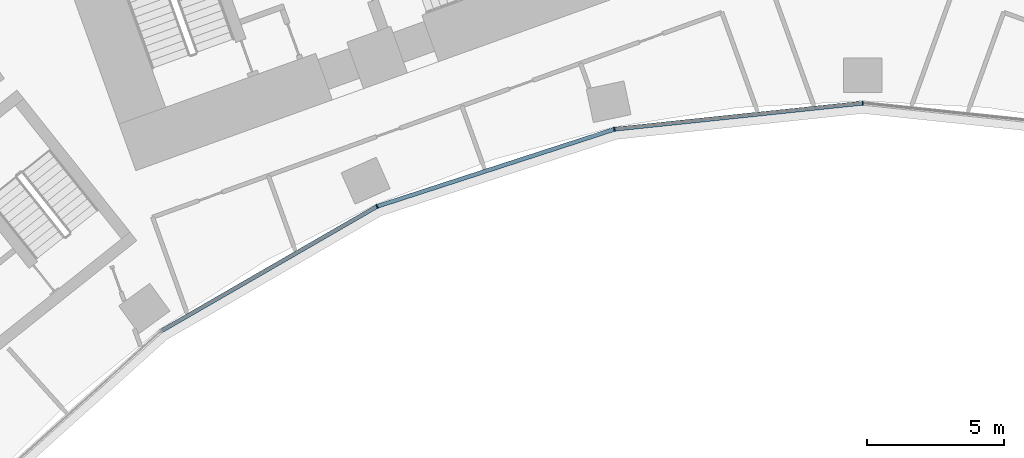
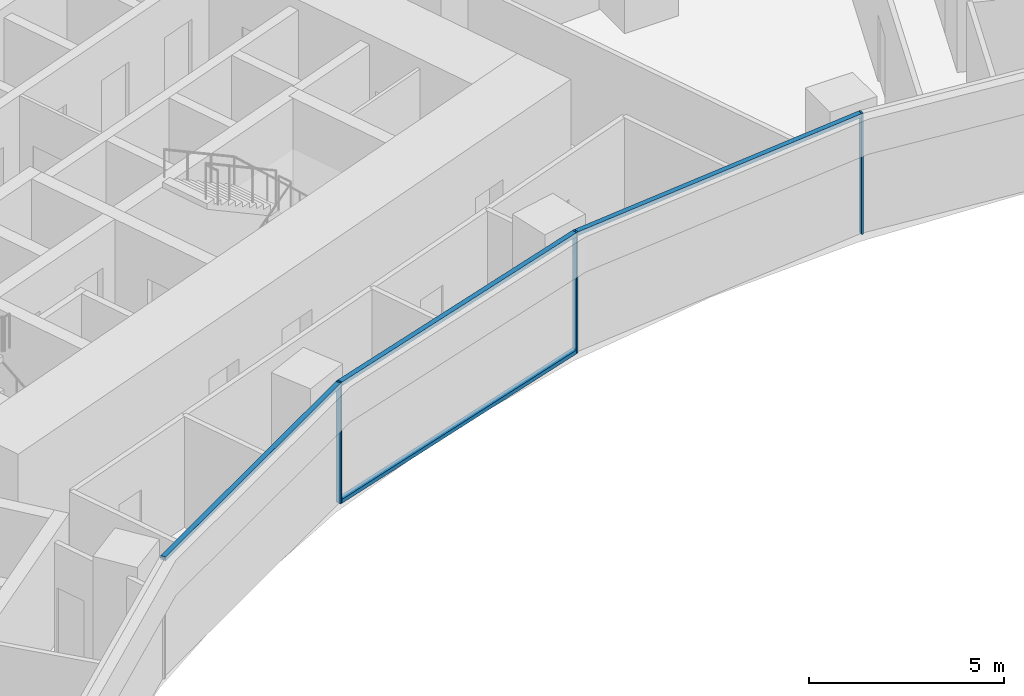
# One storey, part 5 of 24: 7 members, 1 element without a shape of its own.
"""IFC4 building model written with IfcOpenShell, lengths in metres."""

from ifc_helpers import new_model, si_unit, direction, frame, origin, origin_2d, place, context, subcontext, project, spatial, rectangle, extrude, material, layer, layer_set, material_profile, profile_set, type_object, element, aggregate, save


model = new_model("IFC4")

# Units and contexts
model_context = context("Model", 3, precision=1e-05, world=origin(), true_north=direction((0.0, 1.0)))
body_context = subcontext(model_context, "Body", "Model", "MODEL_VIEW")
ifc_project = project(units=[si_unit("LENGTHUNIT", "METRE"), si_unit("AREAUNIT", "SQUARE_METRE"), si_unit("VOLUMEUNIT", "CUBIC_METRE"), si_unit("PLANEANGLEUNIT", "RADIAN"), si_unit("MASSUNIT", "GRAM", prefix="KILO")], contexts=[model_context])

# Site, building, storey
site_placement = place(None, origin())
site = spatial("IfcSite", under=ifc_project, at=site_placement, CompositionType="ELEMENT")
building_placement = place(site_placement, origin())
building = spatial("IfcBuilding", under=site, at=building_placement, Name="Stone Belt Terrace Tower", CompositionType="ELEMENT")
storey_placement = place(building_placement, frame((0.0, 0.0, 64.199951171875)))
storey = spatial("IfcBuildingStorey", under=building, at=storey_placement, Name="L15", CompositionType="ELEMENT", Elevation=64.199951171875)

# Curtain wall, members
ifc_material = material(Name="Aluminium 6063-T6 anodised frame", Category="aluminium")
ifc_layer = layer(ifc_material, 0.14990234375)
ifc_layer_set = layer_set([ifc_layer], Name="CW-B unitised concave-face curtain wall")
curtain_wall_type = type_object("IfcCurtainWallType", Name="CW-B unitised concave-face curtain wall", PredefinedType="NOTDEFINED", material=ifc_layer_set)
curtain_wall_placement = place(storey_placement, origin())
curtain_wall = element("IfcCurtainWall", 1, at=curtain_wall_placement, inside=storey, type_object=curtain_wall_type, Name="CW-B concave face L15", PredefinedType="NOTDEFINED")
ifc_material_profile_1 = material_profile(ifc_material, rectangle(XDim=0.14990234375, YDim=0.050048828125, at=origin_2d()), Name="Aluminium 6063-T6 50x150")
ifc_profile_set_1 = profile_set([ifc_material_profile_1], Name="Aluminium 6063-T6 anodised frame")
member_type_1 = type_object("IfcMemberType", Name="CW-B mullion 50 x 150", PredefinedType="MULLION", material=ifc_profile_set_1)
member_1_placement = place(storey_placement, frame((-17.662353515625, 39.67041015625, 0.0), z_axis=(0.0, 0.0, 1.0), x_axis=(-0.406736643076, 0.913545457643, 0.0)))
member_1 = element("IfcMember", 2, at=member_1_placement, type_object=member_type_1, Name="CW-B mullion 4", PredefinedType="MULLION", context=body_context, shape_type="SweptSolid", body=[
    extrude(rectangle(XDim=0.14990234375, YDim=0.050048828125, at=origin_2d()), origin(), (0.0, 0.0, 1.0), 3.800048828125),
])
member_2_placement = place(storey_placement, frame((-9.028564453125, 42.4755859375, 0.0), z_axis=(0.0, 0.0, 1.0), x_axis=(-0.207911690818, 0.978147600734, 0.0)))
member_2 = element("IfcMember", 3, at=member_2_placement, type_object=member_type_1, Name="CW-B mullion 5", PredefinedType="MULLION", context=body_context, shape_type="SweptSolid", body=[
    extrude(rectangle(XDim=0.14990234375, YDim=0.050048828125, at=origin_2d()), origin(), (0.0, 0.0, 1.0), 3.800048828125),
])
member_3_placement = place(storey_placement, frame((0.0, 43.424560546875, 0.0), z_axis=(0.0, 0.0, 1.0), x_axis=(0.0, 1.0, 0.0)))
member_3 = element("IfcMember", 4, at=member_3_placement, type_object=member_type_1, Name="CW-B mullion 6", PredefinedType="MULLION", context=body_context, shape_type="SweptSolid", body=[
    extrude(rectangle(XDim=0.14990234375, YDim=0.050048828125, at=origin_2d()), origin(), (0.0, 0.0, 1.0), 3.800048828125),
])
ifc_material_profile_2 = material_profile(ifc_material, rectangle(XDim=0.14990234375, YDim=0.1201171875, at=origin_2d()), Name="Aluminium 6063-T6 150x120")
ifc_profile_set_2 = profile_set([ifc_material_profile_2], Name="Aluminium 6063-T6 anodised frame")
member_type_2 = type_object("IfcMemberType", Name="CW-B transom 120 x 150", PredefinedType="USERDEFINED", material=ifc_profile_set_2)
member_4_placement = place(storey_placement, frame((-25.49609375, 35.1474609375, 3.739990234375), z_axis=(0.866019133895, 0.500010859609, 0.0), x_axis=(-0.500010859609, 0.866019133895, 0.0)))
member_4 = element("IfcMember", 5, at=member_4_placement, type_object=member_type_2, Name="CW-B transom 3.1", ObjectType="TRANSOM", PredefinedType="USERDEFINED", context=body_context, shape_type="SweptSolid", body=[
    extrude(rectangle(XDim=0.14990234375, YDim=0.1201171875, at=origin_2d()), origin(), (0.0, 0.0, 1.0), 9.012939453125),
])
member_5_placement = place(storey_placement, frame((-17.63134765625, 39.680419921875, 0.06005859375), z_axis=(0.951055963285, 0.309018696359, 0.0), x_axis=(-0.309018696359, 0.951055963285, 0.0)))
member_5 = element("IfcMember", 6, at=member_5_placement, type_object=member_type_2, Name="CW-B transom 4.1", ObjectType="TRANSOM", PredefinedType="USERDEFINED", context=body_context, shape_type="SweptSolid", body=[
    extrude(rectangle(XDim=0.14990234375, YDim=0.1201171875, at=origin_2d()), origin(), (0.0, 0.0, 1.0), 9.012939453125),
])
member_6_placement = place(storey_placement, frame((-17.63134765625, 39.680419921875, 3.739990234375), z_axis=(0.951055963285, 0.309018696359, 0.0), x_axis=(-0.309018696359, 0.951055963285, 0.0)))
member_6 = element("IfcMember", 7, at=member_6_placement, type_object=member_type_2, Name="CW-B transom 4.2", ObjectType="TRANSOM", PredefinedType="USERDEFINED", context=body_context, shape_type="SweptSolid", body=[
    extrude(rectangle(XDim=0.14990234375, YDim=0.1201171875, at=origin_2d()), origin(), (0.0, 0.0, 1.0), 9.012939453125),
])
member_7_placement = place(storey_placement, frame((-8.995849609375, 42.47900390625, 3.739990234375), z_axis=(0.994521323407, 0.104533904969, 0.0), x_axis=(-0.104533904969, 0.994521323407, 0.0)))
member_7 = element("IfcMember", 8, at=member_7_placement, type_object=member_type_2, Name="CW-B transom 5.1", ObjectType="TRANSOM", PredefinedType="USERDEFINED", context=body_context, shape_type="SweptSolid", body=[
    extrude(rectangle(XDim=0.14990234375, YDim=0.1201171875, at=origin_2d()), origin(), (0.0, 0.0, 1.0), 9.0126953125),
])
aggregate(curtain_wall, [member_1, member_2, member_3, member_4, member_5, member_6, member_7])

save(model, "model.ifc")
